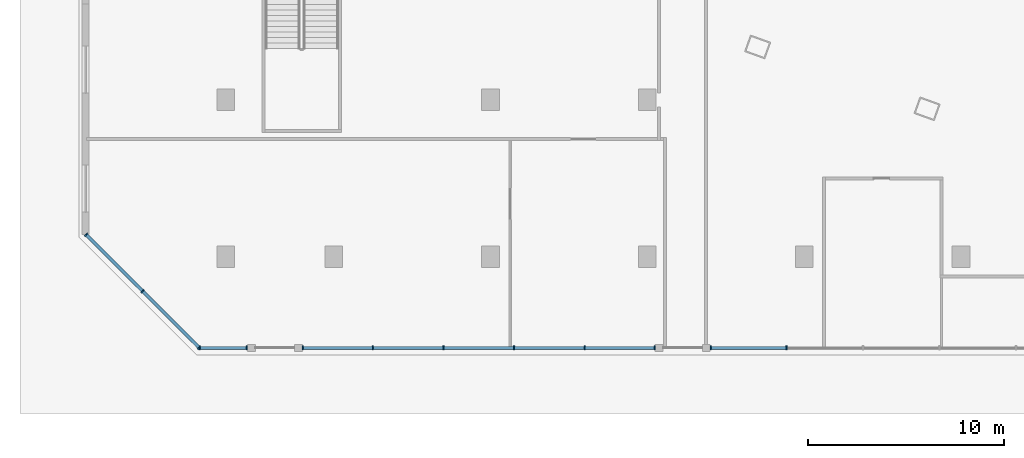
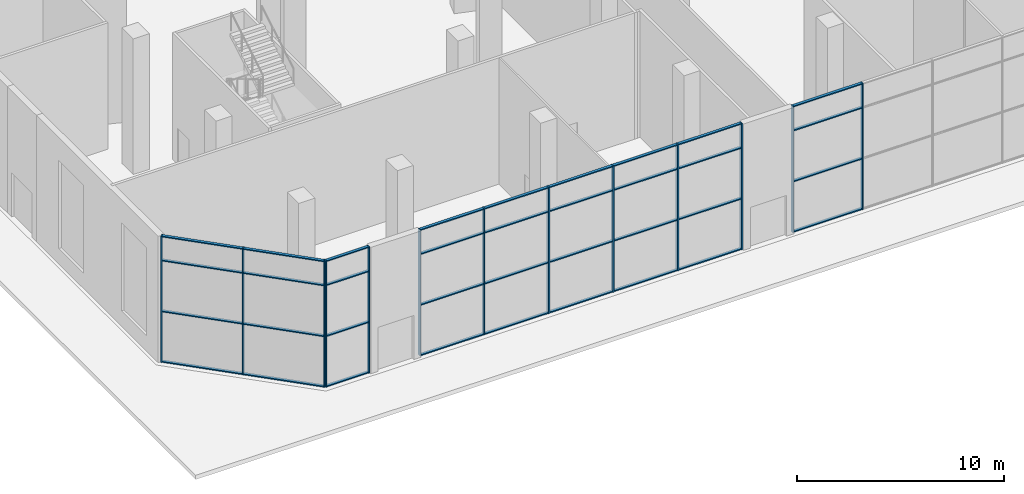
# One storey, part 2 of 33: 49 members, 4 elements without a shape of their own.
"""IFC4 building model written with IfcOpenShell, lengths in metres."""

from ifc_helpers import new_model, si_unit, direction, frame, origin, origin_2d, place, context, subcontext, project, spatial, rectangle, extrude, material, layer, layer_set, material_profile, profile_set, type_object, element, aggregate, save


model = new_model("IFC4")

# Units and contexts
model_context = context("Model", 3, precision=1e-05, world=origin(), true_north=direction((0.0, 1.0)))
body_context = subcontext(model_context, "Body", "Model", "MODEL_VIEW")
ifc_project = project(units=[si_unit("LENGTHUNIT", "METRE"), si_unit("AREAUNIT", "SQUARE_METRE"), si_unit("VOLUMEUNIT", "CUBIC_METRE"), si_unit("PLANEANGLEUNIT", "RADIAN"), si_unit("MASSUNIT", "GRAM", prefix="KILO")], contexts=[model_context])

# Site, building, storey
site_placement = place(None, origin())
site = spatial("IfcSite", under=ifc_project, at=site_placement, CompositionType="ELEMENT")
building_placement = place(site_placement, origin())
building = spatial("IfcBuilding", under=site, at=building_placement, Name="Alderwake Tower", CompositionType="ELEMENT")
storey_placement = place(building_placement, origin())
storey = spatial("IfcBuildingStorey", under=building, at=storey_placement, Name="L00", CompositionType="ELEMENT", Elevation=0.0)

# Curtain wall, members
ifc_material_1 = material(Name="Bronze tinted glass in aluminium frame", Category="aluminium")
ifc_layer = layer(ifc_material_1, 0.25)
ifc_layer_set = layer_set([ifc_layer], Name="Curtain wall CW1 podium shopfront")
curtain_wall_type = type_object("IfcCurtainWallType", Name="Curtain wall CW1 podium shopfront", PredefinedType="NOTDEFINED", material=ifc_layer_set)
curtain_wall_1_placement = place(storey_placement, origin())
curtain_wall_1 = element("IfcCurtainWall", 1, at=curtain_wall_1_placement, inside=storey, type_object=curtain_wall_type, Name="Curtain wall 1", PredefinedType="NOTDEFINED")
ifc_material_2 = material(Name="Aluminium bronze anodised", Category="aluminium")
ifc_material_profile_1 = material_profile(ifc_material_2, rectangle(XDim=0.199951171875, YDim=0.06005859375, at=origin_2d()), Name="Mullion MUA 60x200")
ifc_profile_set_1 = profile_set([ifc_material_profile_1], Name="Aluminium bronze anodised")
member_type_1 = type_object("IfcMemberType", Name="Mullion MUA 60x200", PredefinedType="MULLION", material=ifc_profile_set_1)
member_1_placement = place(storey_placement, frame((9.175048828125, 3.35009765625, 0.0), z_axis=(0.0, 0.0, 1.0), x_axis=(0.0, 1.0, 0.0)))
member_1 = element("IfcMember", 2, at=member_1_placement, type_object=member_type_1, Name="CW.01 mullion 1", PredefinedType="MULLION", context=body_context, shape_type="SweptSolid", body=[
    extrude(rectangle(XDim=0.199951171875, YDim=0.06005859375, at=origin_2d()), origin(), (0.0, 0.0, 1.0), 7.449951171875),
])
member_2_placement = place(storey_placement, frame((11.570068359375, 3.35009765625, 0.0), z_axis=(0.0, 0.0, 1.0), x_axis=(0.0, 1.0, 0.0)))
member_2 = element("IfcMember", 3, at=member_2_placement, type_object=member_type_1, Name="CW.01 mullion 2", PredefinedType="MULLION", context=body_context, shape_type="SweptSolid", body=[
    extrude(rectangle(XDim=0.199951171875, YDim=0.06005859375, at=origin_2d()), origin(), (0.0, 0.0, 1.0), 7.449951171875),
])

curtain_wall_2_placement = place(storey_placement, origin())
curtain_wall_2 = element("IfcCurtainWall", 4, at=curtain_wall_2_placement, inside=storey, type_object=curtain_wall_type, Name="Curtain wall 2", PredefinedType="NOTDEFINED")
member_3_placement = place(storey_placement, frame((14.429931640625, 3.35009765625, 0.0), z_axis=(0.0, 0.0, 1.0), x_axis=(0.0, 1.0, 0.0)))
member_3 = element("IfcMember", 5, at=member_3_placement, type_object=member_type_1, Name="CW.02 mullion 1", PredefinedType="MULLION", context=body_context, shape_type="SweptSolid", body=[
    extrude(rectangle(XDim=0.199951171875, YDim=0.06005859375, at=origin_2d()), origin(), (0.0, 0.0, 1.0), 7.449951171875),
])
member_4_placement = place(storey_placement, frame((18.0, 3.35009765625, 0.0), z_axis=(0.0, 0.0, 1.0), x_axis=(0.0, 1.0, 0.0)))
member_4 = element("IfcMember", 6, at=member_4_placement, type_object=member_type_1, Name="CW.02 mullion 2", PredefinedType="MULLION", context=body_context, shape_type="SweptSolid", body=[
    extrude(rectangle(XDim=0.199951171875, YDim=0.06005859375, at=origin_2d()), origin(), (0.0, 0.0, 1.0), 7.449951171875),
])
member_5_placement = place(storey_placement, frame((21.60009765625, 3.35009765625, 0.0), z_axis=(0.0, 0.0, 1.0), x_axis=(0.0, 1.0, 0.0)))
member_5 = element("IfcMember", 7, at=member_5_placement, type_object=member_type_1, Name="CW.02 mullion 3", PredefinedType="MULLION", context=body_context, shape_type="SweptSolid", body=[
    extrude(rectangle(XDim=0.199951171875, YDim=0.06005859375, at=origin_2d()), origin(), (0.0, 0.0, 1.0), 7.449951171875),
])
member_6_placement = place(storey_placement, frame((25.199951171875, 3.35009765625, 0.0), z_axis=(0.0, 0.0, 1.0), x_axis=(0.0, 1.0, 0.0)))
member_6 = element("IfcMember", 8, at=member_6_placement, type_object=member_type_1, Name="CW.02 mullion 4", PredefinedType="MULLION", context=body_context, shape_type="SweptSolid", body=[
    extrude(rectangle(XDim=0.199951171875, YDim=0.06005859375, at=origin_2d()), origin(), (0.0, 0.0, 1.0), 7.449951171875),
])
member_7_placement = place(storey_placement, frame((28.800048828125, 3.35009765625, 0.0), z_axis=(0.0, 0.0, 1.0), x_axis=(0.0, 1.0, 0.0)))
member_7 = element("IfcMember", 9, at=member_7_placement, type_object=member_type_1, Name="CW.02 mullion 5", PredefinedType="MULLION", context=body_context, shape_type="SweptSolid", body=[
    extrude(rectangle(XDim=0.199951171875, YDim=0.06005859375, at=origin_2d()), origin(), (0.0, 0.0, 1.0), 7.449951171875),
])
member_8_placement = place(storey_placement, frame((32.3701171875, 3.35009765625, 0.0), z_axis=(0.0, 0.0, 1.0), x_axis=(0.0, 1.0, 0.0)))
member_8 = element("IfcMember", 10, at=member_8_placement, type_object=member_type_1, Name="CW.02 mullion 6", PredefinedType="MULLION", context=body_context, shape_type="SweptSolid", body=[
    extrude(rectangle(XDim=0.199951171875, YDim=0.06005859375, at=origin_2d()), origin(), (0.0, 0.0, 1.0), 7.449951171875),
])

curtain_wall_3_placement = place(storey_placement, origin())
curtain_wall_3 = element("IfcCurtainWall", 11, at=curtain_wall_3_placement, inside=storey, type_object=curtain_wall_type, Name="Curtain wall 3", PredefinedType="NOTDEFINED")
member_9_placement = place(storey_placement, frame((35.22998046875, 3.35009765625, 0.0), z_axis=(0.0, 0.0, 1.0), x_axis=(0.0, 1.0, 0.0)))
member_9 = element("IfcMember", 12, at=member_9_placement, type_object=member_type_1, Name="CW.03 mullion 1", PredefinedType="MULLION", context=body_context, shape_type="SweptSolid", body=[
    extrude(rectangle(XDim=0.199951171875, YDim=0.06005859375, at=origin_2d()), origin(), (0.0, 0.0, 1.0), 7.449951171875),
])
member_10_placement = place(storey_placement, frame((39.10009765625, 3.35009765625, 0.0), z_axis=(0.0, 0.0, 1.0), x_axis=(0.0, 1.0, 0.0)))
member_10 = element("IfcMember", 13, at=member_10_placement, type_object=member_type_1, Name="CW.03 mullion 2", PredefinedType="MULLION", context=body_context, shape_type="SweptSolid", body=[
    extrude(rectangle(XDim=0.199951171875, YDim=0.06005859375, at=origin_2d()), origin(), (0.0, 0.0, 1.0), 7.449951171875),
])

curtain_wall_4_placement = place(storey_placement, origin())
curtain_wall_4 = element("IfcCurtainWall", 14, at=curtain_wall_4_placement, inside=storey, type_object=curtain_wall_type, Name="Curtain wall 22", PredefinedType="NOTDEFINED")
member_11_placement = place(storey_placement, frame((3.37109375, 9.123779296875, 0.0), z_axis=(0.0, 0.0, 1.0), x_axis=(0.707106781187, 0.707106781187, 0.0)))
member_11 = element("IfcMember", 15, at=member_11_placement, type_object=member_type_1, Name="CW.22 mullion 1", PredefinedType="MULLION", context=body_context, shape_type="SweptSolid", body=[
    extrude(rectangle(XDim=0.199951171875, YDim=0.06005859375, at=origin_2d()), origin(), (0.0, 0.0, 1.0), 7.449951171875),
])
member_12_placement = place(storey_placement, frame((6.252685546875, 6.2421875, 0.0), z_axis=(0.0, 0.0, 1.0), x_axis=(0.707106781187, 0.707106781187, 0.0)))
member_12 = element("IfcMember", 16, at=member_12_placement, type_object=member_type_1, Name="CW.22 mullion 2", PredefinedType="MULLION", context=body_context, shape_type="SweptSolid", body=[
    extrude(rectangle(XDim=0.199951171875, YDim=0.06005859375, at=origin_2d()), origin(), (0.0, 0.0, 1.0), 7.449951171875),
])
member_13_placement = place(storey_placement, frame((9.13427734375, 3.360595703125, 0.0), z_axis=(0.0, 0.0, 1.0), x_axis=(0.707106781187, 0.707106781187, 0.0)))
member_13 = element("IfcMember", 17, at=member_13_placement, type_object=member_type_1, Name="CW.22 mullion 3", PredefinedType="MULLION", context=body_context, shape_type="SweptSolid", body=[
    extrude(rectangle(XDim=0.199951171875, YDim=0.06005859375, at=origin_2d()), origin(), (0.0, 0.0, 1.0), 7.449951171875),
])

# Member
ifc_material_3 = material(Name="Aluminium bronze anodised", Category="aluminium")
ifc_material_profile_2 = material_profile(ifc_material_3, rectangle(XDim=0.159912109375, YDim=0.06005859375, at=origin_2d()), Name="Transom TRA 60x160")
ifc_profile_set_2 = profile_set([ifc_material_profile_2], Name="Aluminium bronze anodised")
member_type_2 = type_object("IfcMemberType", Name="Transom TRA 60x160", PredefinedType="USERDEFINED", material=ifc_profile_set_2)
member_14_placement = place(storey_placement, frame((9.205078125, 3.35009765625, 0.030029296875), z_axis=(1.0, 0.0, 0.0), x_axis=(0.0, 1.0, 0.0)))
member_14 = element("IfcMember", 18, at=member_14_placement, type_object=member_type_2, Name="CW.01 transom 1.1", ObjectType="TRANSOM", PredefinedType="USERDEFINED", context=body_context, shape_type="SweptSolid", body=[
    extrude(rectangle(XDim=0.159912109375, YDim=0.06005859375, at=origin_2d()), origin(), (0.0, 0.0, 1.0), 2.3349609375),
])

member_15_placement = place(storey_placement, frame((9.205078125, 3.35009765625, 3.0), z_axis=(1.0, 0.0, 0.0), x_axis=(0.0, 1.0, 0.0)))
member_15 = element("IfcMember", 19, at=member_15_placement, type_object=member_type_2, Name="CW.01 transom 1.2", ObjectType="TRANSOM", PredefinedType="USERDEFINED", context=body_context, shape_type="SweptSolid", body=[
    extrude(rectangle(XDim=0.159912109375, YDim=0.06005859375, at=origin_2d()), origin(), (0.0, 0.0, 1.0), 2.3349609375),
])

member_16_placement = place(storey_placement, frame((9.205078125, 3.35009765625, 6.0), z_axis=(1.0, 0.0, 0.0), x_axis=(0.0, 1.0, 0.0)))
member_16 = element("IfcMember", 20, at=member_16_placement, type_object=member_type_2, Name="CW.01 transom 1.3", ObjectType="TRANSOM", PredefinedType="USERDEFINED", context=body_context, shape_type="SweptSolid", body=[
    extrude(rectangle(XDim=0.159912109375, YDim=0.06005859375, at=origin_2d()), origin(), (0.0, 0.0, 1.0), 2.3349609375),
])

member_17_placement = place(storey_placement, frame((9.205078125, 3.35009765625, 7.419921875), z_axis=(1.0, 0.0, 0.0), x_axis=(0.0, 1.0, 0.0)))
member_17 = element("IfcMember", 21, at=member_17_placement, type_object=member_type_2, Name="CW.01 transom 1.4", ObjectType="TRANSOM", PredefinedType="USERDEFINED", context=body_context, shape_type="SweptSolid", body=[
    extrude(rectangle(XDim=0.159912109375, YDim=0.06005859375, at=origin_2d()), origin(), (0.0, 0.0, 1.0), 2.3349609375),
])

aggregate(curtain_wall_1, [member_1, member_2, member_14, member_15, member_16, member_17])

member_18_placement = place(storey_placement, frame((14.4599609375, 3.35009765625, 0.030029296875), z_axis=(1.0, 0.0, 0.0), x_axis=(0.0, 1.0, 0.0)))
member_18 = element("IfcMember", 22, at=member_18_placement, type_object=member_type_2, Name="CW.02 transom 1.1", ObjectType="TRANSOM", PredefinedType="USERDEFINED", context=body_context, shape_type="SweptSolid", body=[
    extrude(rectangle(XDim=0.159912109375, YDim=0.06005859375, at=origin_2d()), origin(), (0.0, 0.0, 1.0), 3.510009765625),
])

member_19_placement = place(storey_placement, frame((14.4599609375, 3.35009765625, 3.0), z_axis=(1.0, 0.0, 0.0), x_axis=(0.0, 1.0, 0.0)))
member_19 = element("IfcMember", 23, at=member_19_placement, type_object=member_type_2, Name="CW.02 transom 1.2", ObjectType="TRANSOM", PredefinedType="USERDEFINED", context=body_context, shape_type="SweptSolid", body=[
    extrude(rectangle(XDim=0.159912109375, YDim=0.06005859375, at=origin_2d()), origin(), (0.0, 0.0, 1.0), 3.510009765625),
])

member_20_placement = place(storey_placement, frame((14.4599609375, 3.35009765625, 6.0), z_axis=(1.0, 0.0, 0.0), x_axis=(0.0, 1.0, 0.0)))
member_20 = element("IfcMember", 24, at=member_20_placement, type_object=member_type_2, Name="CW.02 transom 1.3", ObjectType="TRANSOM", PredefinedType="USERDEFINED", context=body_context, shape_type="SweptSolid", body=[
    extrude(rectangle(XDim=0.159912109375, YDim=0.06005859375, at=origin_2d()), origin(), (0.0, 0.0, 1.0), 3.510009765625),
])

member_21_placement = place(storey_placement, frame((14.4599609375, 3.35009765625, 7.419921875), z_axis=(1.0, 0.0, 0.0), x_axis=(0.0, 1.0, 0.0)))
member_21 = element("IfcMember", 25, at=member_21_placement, type_object=member_type_2, Name="CW.02 transom 1.4", ObjectType="TRANSOM", PredefinedType="USERDEFINED", context=body_context, shape_type="SweptSolid", body=[
    extrude(rectangle(XDim=0.159912109375, YDim=0.06005859375, at=origin_2d()), origin(), (0.0, 0.0, 1.0), 3.510009765625),
])

member_22_placement = place(storey_placement, frame((18.030029296875, 3.35009765625, 0.030029296875), z_axis=(1.0, 0.0, 0.0), x_axis=(0.0, 1.0, 0.0)))
member_22 = element("IfcMember", 26, at=member_22_placement, type_object=member_type_2, Name="CW.02 transom 2.1", ObjectType="TRANSOM", PredefinedType="USERDEFINED", context=body_context, shape_type="SweptSolid", body=[
    extrude(rectangle(XDim=0.159912109375, YDim=0.06005859375, at=origin_2d()), origin(), (0.0, 0.0, 1.0), 3.5400390625),
])

member_23_placement = place(storey_placement, frame((18.030029296875, 3.35009765625, 3.0), z_axis=(1.0, 0.0, 0.0), x_axis=(0.0, 1.0, 0.0)))
member_23 = element("IfcMember", 27, at=member_23_placement, type_object=member_type_2, Name="CW.02 transom 2.2", ObjectType="TRANSOM", PredefinedType="USERDEFINED", context=body_context, shape_type="SweptSolid", body=[
    extrude(rectangle(XDim=0.159912109375, YDim=0.06005859375, at=origin_2d()), origin(), (0.0, 0.0, 1.0), 3.5400390625),
])

member_24_placement = place(storey_placement, frame((18.030029296875, 3.35009765625, 6.0), z_axis=(1.0, 0.0, 0.0), x_axis=(0.0, 1.0, 0.0)))
member_24 = element("IfcMember", 28, at=member_24_placement, type_object=member_type_2, Name="CW.02 transom 2.3", ObjectType="TRANSOM", PredefinedType="USERDEFINED", context=body_context, shape_type="SweptSolid", body=[
    extrude(rectangle(XDim=0.159912109375, YDim=0.06005859375, at=origin_2d()), origin(), (0.0, 0.0, 1.0), 3.5400390625),
])

member_25_placement = place(storey_placement, frame((18.030029296875, 3.35009765625, 7.419921875), z_axis=(1.0, 0.0, 0.0), x_axis=(0.0, 1.0, 0.0)))
member_25 = element("IfcMember", 29, at=member_25_placement, type_object=member_type_2, Name="CW.02 transom 2.4", ObjectType="TRANSOM", PredefinedType="USERDEFINED", context=body_context, shape_type="SweptSolid", body=[
    extrude(rectangle(XDim=0.159912109375, YDim=0.06005859375, at=origin_2d()), origin(), (0.0, 0.0, 1.0), 3.5400390625),
])

member_26_placement = place(storey_placement, frame((21.6298828125, 3.35009765625, 0.030029296875), z_axis=(1.0, 0.0, 0.0), x_axis=(0.0, 1.0, 0.0)))
member_26 = element("IfcMember", 30, at=member_26_placement, type_object=member_type_2, Name="CW.02 transom 3.1", ObjectType="TRANSOM", PredefinedType="USERDEFINED", context=body_context, shape_type="SweptSolid", body=[
    extrude(rectangle(XDim=0.159912109375, YDim=0.06005859375, at=origin_2d()), origin(), (0.0, 0.0, 1.0), 3.5400390625),
])

member_27_placement = place(storey_placement, frame((21.6298828125, 3.35009765625, 3.0), z_axis=(1.0, 0.0, 0.0), x_axis=(0.0, 1.0, 0.0)))
member_27 = element("IfcMember", 31, at=member_27_placement, type_object=member_type_2, Name="CW.02 transom 3.2", ObjectType="TRANSOM", PredefinedType="USERDEFINED", context=body_context, shape_type="SweptSolid", body=[
    extrude(rectangle(XDim=0.159912109375, YDim=0.06005859375, at=origin_2d()), origin(), (0.0, 0.0, 1.0), 3.5400390625),
])

member_28_placement = place(storey_placement, frame((21.6298828125, 3.35009765625, 6.0), z_axis=(1.0, 0.0, 0.0), x_axis=(0.0, 1.0, 0.0)))
member_28 = element("IfcMember", 32, at=member_28_placement, type_object=member_type_2, Name="CW.02 transom 3.3", ObjectType="TRANSOM", PredefinedType="USERDEFINED", context=body_context, shape_type="SweptSolid", body=[
    extrude(rectangle(XDim=0.159912109375, YDim=0.06005859375, at=origin_2d()), origin(), (0.0, 0.0, 1.0), 3.5400390625),
])

member_29_placement = place(storey_placement, frame((21.6298828125, 3.35009765625, 7.419921875), z_axis=(1.0, 0.0, 0.0), x_axis=(0.0, 1.0, 0.0)))
member_29 = element("IfcMember", 33, at=member_29_placement, type_object=member_type_2, Name="CW.02 transom 3.4", ObjectType="TRANSOM", PredefinedType="USERDEFINED", context=body_context, shape_type="SweptSolid", body=[
    extrude(rectangle(XDim=0.159912109375, YDim=0.06005859375, at=origin_2d()), origin(), (0.0, 0.0, 1.0), 3.5400390625),
])

member_30_placement = place(storey_placement, frame((25.22998046875, 3.35009765625, 0.030029296875), z_axis=(1.0, 0.0, 0.0), x_axis=(0.0, 1.0, 0.0)))
member_30 = element("IfcMember", 34, at=member_30_placement, type_object=member_type_2, Name="CW.02 transom 4.1", ObjectType="TRANSOM", PredefinedType="USERDEFINED", context=body_context, shape_type="SweptSolid", body=[
    extrude(rectangle(XDim=0.159912109375, YDim=0.06005859375, at=origin_2d()), origin(), (0.0, 0.0, 1.0), 3.5400390625),
])

member_31_placement = place(storey_placement, frame((25.22998046875, 3.35009765625, 3.0), z_axis=(1.0, 0.0, 0.0), x_axis=(0.0, 1.0, 0.0)))
member_31 = element("IfcMember", 35, at=member_31_placement, type_object=member_type_2, Name="CW.02 transom 4.2", ObjectType="TRANSOM", PredefinedType="USERDEFINED", context=body_context, shape_type="SweptSolid", body=[
    extrude(rectangle(XDim=0.159912109375, YDim=0.06005859375, at=origin_2d()), origin(), (0.0, 0.0, 1.0), 3.5400390625),
])

member_32_placement = place(storey_placement, frame((25.22998046875, 3.35009765625, 6.0), z_axis=(1.0, 0.0, 0.0), x_axis=(0.0, 1.0, 0.0)))
member_32 = element("IfcMember", 36, at=member_32_placement, type_object=member_type_2, Name="CW.02 transom 4.3", ObjectType="TRANSOM", PredefinedType="USERDEFINED", context=body_context, shape_type="SweptSolid", body=[
    extrude(rectangle(XDim=0.159912109375, YDim=0.06005859375, at=origin_2d()), origin(), (0.0, 0.0, 1.0), 3.5400390625),
])

member_33_placement = place(storey_placement, frame((25.22998046875, 3.35009765625, 7.419921875), z_axis=(1.0, 0.0, 0.0), x_axis=(0.0, 1.0, 0.0)))
member_33 = element("IfcMember", 37, at=member_33_placement, type_object=member_type_2, Name="CW.02 transom 4.4", ObjectType="TRANSOM", PredefinedType="USERDEFINED", context=body_context, shape_type="SweptSolid", body=[
    extrude(rectangle(XDim=0.159912109375, YDim=0.06005859375, at=origin_2d()), origin(), (0.0, 0.0, 1.0), 3.5400390625),
])

member_34_placement = place(storey_placement, frame((28.830078125, 3.35009765625, 0.030029296875), z_axis=(1.0, 0.0, 0.0), x_axis=(0.0, 1.0, 0.0)))
member_34 = element("IfcMember", 38, at=member_34_placement, type_object=member_type_2, Name="CW.02 transom 5.1", ObjectType="TRANSOM", PredefinedType="USERDEFINED", context=body_context, shape_type="SweptSolid", body=[
    extrude(rectangle(XDim=0.159912109375, YDim=0.06005859375, at=origin_2d()), origin(), (0.0, 0.0, 1.0), 3.510009765625),
])

member_35_placement = place(storey_placement, frame((28.830078125, 3.35009765625, 3.0), z_axis=(1.0, 0.0, 0.0), x_axis=(0.0, 1.0, 0.0)))
member_35 = element("IfcMember", 39, at=member_35_placement, type_object=member_type_2, Name="CW.02 transom 5.2", ObjectType="TRANSOM", PredefinedType="USERDEFINED", context=body_context, shape_type="SweptSolid", body=[
    extrude(rectangle(XDim=0.159912109375, YDim=0.06005859375, at=origin_2d()), origin(), (0.0, 0.0, 1.0), 3.510009765625),
])

member_36_placement = place(storey_placement, frame((28.830078125, 3.35009765625, 6.0), z_axis=(1.0, 0.0, 0.0), x_axis=(0.0, 1.0, 0.0)))
member_36 = element("IfcMember", 40, at=member_36_placement, type_object=member_type_2, Name="CW.02 transom 5.3", ObjectType="TRANSOM", PredefinedType="USERDEFINED", context=body_context, shape_type="SweptSolid", body=[
    extrude(rectangle(XDim=0.159912109375, YDim=0.06005859375, at=origin_2d()), origin(), (0.0, 0.0, 1.0), 3.510009765625),
])

member_37_placement = place(storey_placement, frame((28.830078125, 3.35009765625, 7.419921875), z_axis=(1.0, 0.0, 0.0), x_axis=(0.0, 1.0, 0.0)))
member_37 = element("IfcMember", 41, at=member_37_placement, type_object=member_type_2, Name="CW.02 transom 5.4", ObjectType="TRANSOM", PredefinedType="USERDEFINED", context=body_context, shape_type="SweptSolid", body=[
    extrude(rectangle(XDim=0.159912109375, YDim=0.06005859375, at=origin_2d()), origin(), (0.0, 0.0, 1.0), 3.510009765625),
])

aggregate(curtain_wall_2, [member_3, member_4, member_5, member_6, member_7, member_8, member_18, member_19, member_20, member_21, member_22, member_23, member_24, member_25, member_26, member_27, member_28, member_29, member_30, member_31, member_32, member_33, member_34, member_35, member_36, member_37])

member_38_placement = place(storey_placement, frame((35.260009765625, 3.35009765625, 0.030029296875), z_axis=(1.0, 0.0, 0.0), x_axis=(0.0, 1.0, 0.0)))
member_38 = element("IfcMember", 42, at=member_38_placement, type_object=member_type_2, Name="CW.03 transom 1.1", ObjectType="TRANSOM", PredefinedType="USERDEFINED", context=body_context, shape_type="SweptSolid", body=[
    extrude(rectangle(XDim=0.159912109375, YDim=0.06005859375, at=origin_2d()), origin(), (0.0, 0.0, 1.0), 3.81005859375),
])

member_39_placement = place(storey_placement, frame((35.260009765625, 3.35009765625, 3.0), z_axis=(1.0, 0.0, 0.0), x_axis=(0.0, 1.0, 0.0)))
member_39 = element("IfcMember", 43, at=member_39_placement, type_object=member_type_2, Name="CW.03 transom 1.2", ObjectType="TRANSOM", PredefinedType="USERDEFINED", context=body_context, shape_type="SweptSolid", body=[
    extrude(rectangle(XDim=0.159912109375, YDim=0.06005859375, at=origin_2d()), origin(), (0.0, 0.0, 1.0), 3.81005859375),
])

member_40_placement = place(storey_placement, frame((35.260009765625, 3.35009765625, 6.0), z_axis=(1.0, 0.0, 0.0), x_axis=(0.0, 1.0, 0.0)))
member_40 = element("IfcMember", 44, at=member_40_placement, type_object=member_type_2, Name="CW.03 transom 1.3", ObjectType="TRANSOM", PredefinedType="USERDEFINED", context=body_context, shape_type="SweptSolid", body=[
    extrude(rectangle(XDim=0.159912109375, YDim=0.06005859375, at=origin_2d()), origin(), (0.0, 0.0, 1.0), 3.81005859375),
])

member_41_placement = place(storey_placement, frame((35.260009765625, 3.35009765625, 7.419921875), z_axis=(1.0, 0.0, 0.0), x_axis=(0.0, 1.0, 0.0)))
member_41 = element("IfcMember", 45, at=member_41_placement, type_object=member_type_2, Name="CW.03 transom 1.4", ObjectType="TRANSOM", PredefinedType="USERDEFINED", context=body_context, shape_type="SweptSolid", body=[
    extrude(rectangle(XDim=0.159912109375, YDim=0.06005859375, at=origin_2d()), origin(), (0.0, 0.0, 1.0), 3.81005859375),
])

aggregate(curtain_wall_3, [member_9, member_10, member_38, member_39, member_40, member_41])

member_42_placement = place(storey_placement, frame((3.392333984375, 9.1025390625, 0.030029296875), z_axis=(0.70713718196, -0.707076379106, 0.0), x_axis=(0.707076379106, 0.70713718196, 0.0)))
member_42 = element("IfcMember", 46, at=member_42_placement, type_object=member_type_2, Name="CW.22 transom 1.1", ObjectType="TRANSOM", PredefinedType="USERDEFINED", context=body_context, shape_type="SweptSolid", body=[
    extrude(rectangle(XDim=0.159912109375, YDim=0.06005859375, at=origin_2d()), origin(), (0.0, 0.0, 1.0), 4.015380859375),
])

member_43_placement = place(storey_placement, frame((3.392333984375, 9.1025390625, 3.0), z_axis=(0.70713718196, -0.707076379106, 0.0), x_axis=(0.707076379106, 0.70713718196, 0.0)))
member_43 = element("IfcMember", 47, at=member_43_placement, type_object=member_type_2, Name="CW.22 transom 1.2", ObjectType="TRANSOM", PredefinedType="USERDEFINED", context=body_context, shape_type="SweptSolid", body=[
    extrude(rectangle(XDim=0.159912109375, YDim=0.06005859375, at=origin_2d()), origin(), (0.0, 0.0, 1.0), 4.015380859375),
])

member_44_placement = place(storey_placement, frame((3.392333984375, 9.1025390625, 6.0), z_axis=(0.70713718196, -0.707076379106, 0.0), x_axis=(0.707076379106, 0.70713718196, 0.0)))
member_44 = element("IfcMember", 48, at=member_44_placement, type_object=member_type_2, Name="CW.22 transom 1.3", ObjectType="TRANSOM", PredefinedType="USERDEFINED", context=body_context, shape_type="SweptSolid", body=[
    extrude(rectangle(XDim=0.159912109375, YDim=0.06005859375, at=origin_2d()), origin(), (0.0, 0.0, 1.0), 4.015380859375),
])

member_45_placement = place(storey_placement, frame((3.392333984375, 9.1025390625, 7.419921875), z_axis=(0.70713718196, -0.707076379106, 0.0), x_axis=(0.707076379106, 0.70713718196, 0.0)))
member_45 = element("IfcMember", 49, at=member_45_placement, type_object=member_type_2, Name="CW.22 transom 1.4", ObjectType="TRANSOM", PredefinedType="USERDEFINED", context=body_context, shape_type="SweptSolid", body=[
    extrude(rectangle(XDim=0.159912109375, YDim=0.06005859375, at=origin_2d()), origin(), (0.0, 0.0, 1.0), 4.015380859375),
])

member_46_placement = place(storey_placement, frame((6.27392578125, 6.220947265625, 0.030029296875), z_axis=(0.70713718196, -0.707076379106, 0.0), x_axis=(0.707076379106, 0.70713718196, 0.0)))
member_46 = element("IfcMember", 50, at=member_46_placement, type_object=member_type_2, Name="CW.22 transom 2.1", ObjectType="TRANSOM", PredefinedType="USERDEFINED", context=body_context, shape_type="SweptSolid", body=[
    extrude(rectangle(XDim=0.159912109375, YDim=0.06005859375, at=origin_2d()), origin(), (0.0, 0.0, 1.0), 4.015380859375),
])

member_47_placement = place(storey_placement, frame((6.27392578125, 6.220947265625, 3.0), z_axis=(0.70713718196, -0.707076379106, 0.0), x_axis=(0.707076379106, 0.70713718196, 0.0)))
member_47 = element("IfcMember", 51, at=member_47_placement, type_object=member_type_2, Name="CW.22 transom 2.2", ObjectType="TRANSOM", PredefinedType="USERDEFINED", context=body_context, shape_type="SweptSolid", body=[
    extrude(rectangle(XDim=0.159912109375, YDim=0.06005859375, at=origin_2d()), origin(), (0.0, 0.0, 1.0), 4.015380859375),
])

member_48_placement = place(storey_placement, frame((6.27392578125, 6.220947265625, 6.0), z_axis=(0.70713718196, -0.707076379106, 0.0), x_axis=(0.707076379106, 0.70713718196, 0.0)))
member_48 = element("IfcMember", 52, at=member_48_placement, type_object=member_type_2, Name="CW.22 transom 2.3", ObjectType="TRANSOM", PredefinedType="USERDEFINED", context=body_context, shape_type="SweptSolid", body=[
    extrude(rectangle(XDim=0.159912109375, YDim=0.06005859375, at=origin_2d()), origin(), (0.0, 0.0, 1.0), 4.015380859375),
])

member_49_placement = place(storey_placement, frame((6.27392578125, 6.220947265625, 7.419921875), z_axis=(0.70713718196, -0.707076379106, 0.0), x_axis=(0.707076379106, 0.70713718196, 0.0)))
member_49 = element("IfcMember", 53, at=member_49_placement, type_object=member_type_2, Name="CW.22 transom 2.4", ObjectType="TRANSOM", PredefinedType="USERDEFINED", context=body_context, shape_type="SweptSolid", body=[
    extrude(rectangle(XDim=0.159912109375, YDim=0.06005859375, at=origin_2d()), origin(), (0.0, 0.0, 1.0), 4.015380859375),
])

aggregate(curtain_wall_4, [member_11, member_12, member_13, member_42, member_43, member_44, member_45, member_46, member_47, member_48, member_49])

save(model, "model.ifc")
